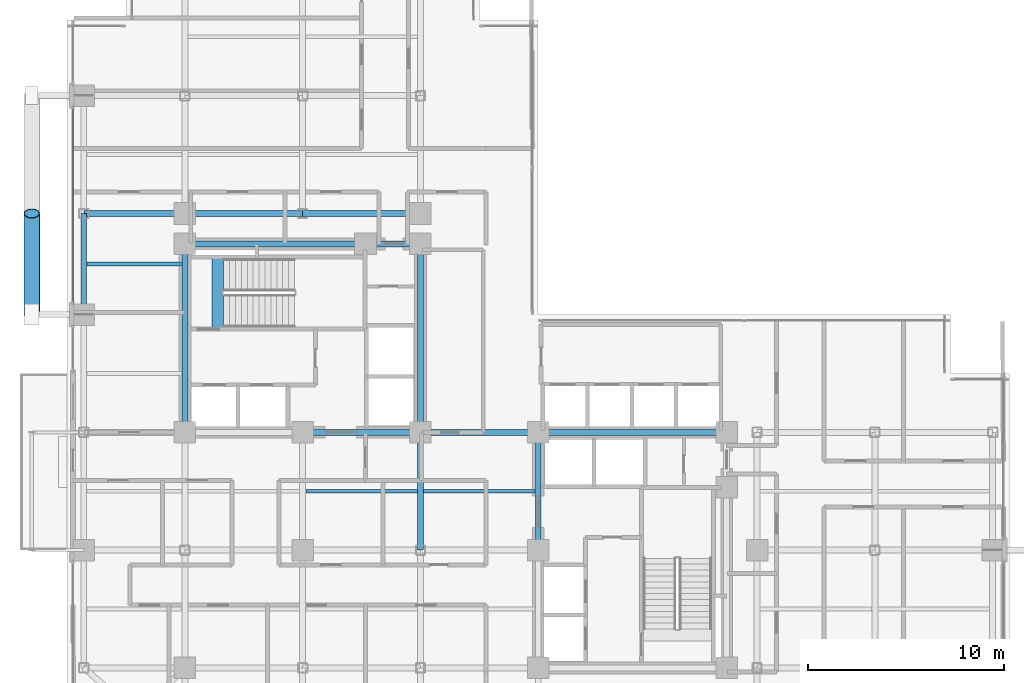
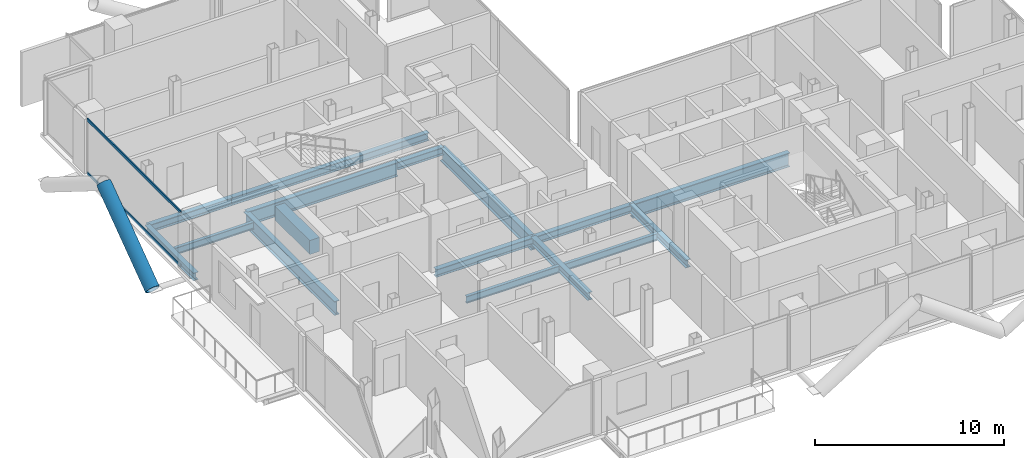
# One storey, part 7 of 24: 17 beams, 3 members, 1 element without a shape of its own.
"""IFC4 building model written with IfcOpenShell, lengths in metres."""

from ifc_helpers import new_model, si_unit, direction, frame, origin, origin_2d, place, context, subcontext, project, spatial, rectangle, hollow_rectangle, hollow_circle, i_section, extrude, material, layer, layer_set, material_profile, profile_set, type_object, element, aggregate, save


model = new_model("IFC4")

# Units and contexts
model_context = context("Model", 3, precision=1e-05, world=origin(), true_north=direction((0.0, 1.0)))
body_context = subcontext(model_context, "Body", "Model", "MODEL_VIEW")
ifc_project = project(units=[si_unit("LENGTHUNIT", "METRE"), si_unit("AREAUNIT", "SQUARE_METRE"), si_unit("VOLUMEUNIT", "CUBIC_METRE"), si_unit("PLANEANGLEUNIT", "RADIAN"), si_unit("MASSUNIT", "GRAM", prefix="KILO"), si_unit("THERMODYNAMICTEMPERATUREUNIT", "KELVIN"), si_unit("POWERUNIT", "WATT")], contexts=[model_context])

# Site, building, storey
site_placement = place(None, origin())
site = spatial("IfcSite", under=ifc_project, at=site_placement, CompositionType="ELEMENT")
building_placement = place(site_placement, origin())
building = spatial("IfcBuilding", under=site, at=building_placement, Name="Svarakhadi Broadcast Tower", CompositionType="ELEMENT")
storey_placement = place(building_placement, frame((0.0, 0.0, 115.64990234375)))
storey = spatial("IfcBuildingStorey", under=building, at=storey_placement, Name="L27", CompositionType="ELEMENT", Elevation=115.64990234375)

# Beams
ifc_material_1 = material(Name="Steel S355J2 (IS 2062 E350C)", Category="steel")
ifc_material_profile_1 = material_profile(ifc_material_1, i_section(OverallWidth=0.18994140625, OverallDepth=0.449951171875, WebThickness=0.009521484375, FlangeThickness=0.0146484375, FilletRadius=0.02099609375, at=origin_2d()), Name="NPB 450x190x78")
ifc_profile_set_1 = profile_set([ifc_material_profile_1], Name="Steel S355J2 (IS 2062 E350C)")
beam_type_1 = type_object("IfcBeamType", Name="Beam_NPB450", PredefinedType="BEAM", material=ifc_profile_set_1)
beam_1_placement = place(storey_placement, frame((1.010009765625, 26.574951171875, -0.449951171875), z_axis=(1.0, 0.0, 0.0), x_axis=(0.0, 1.0, 0.0)))
element("IfcBeam", 1, at=beam_1_placement, inside=storey, type_object=beam_type_1, Name="L27 Secondary Composite Beam SB004", PredefinedType="BEAM", context=body_context, shape_type="SweptSolid", body=[
    extrude(i_section(OverallWidth=0.18994140625, OverallDepth=0.449951171875, WebThickness=0.009521484375, FlangeThickness=0.0146484375, FilletRadius=0.02099609375, at=origin_2d()), origin(), (0.0, 0.0, 1.0), 4.830078125),
])
for number, where, z_axis, x_axis, name in (
    (2, (12.159912109375, 15.0, -0.449951171875), (1.0, 0.0, 0.0), (0.0, 1.0, 0.0), "L27 Secondary Composite Beam SB013"),
    (3, (18.159912109375, 15.0, -0.449951171875), (1.0, 0.0, 0.0), (0.0, 1.0, 0.0), "L27 Secondary Composite Beam SB018"),
):
    element("IfcBeam", number, at=place(storey_placement, frame(where, z_axis=z_axis, x_axis=x_axis)), inside=storey, type_object=beam_type_1, Name=name, PredefinedType="BEAM", context=body_context, shape_type="SweptSolid", body=[
        extrude(i_section(OverallWidth=0.18994140625, OverallDepth=0.449951171875, WebThickness=0.009521484375, FlangeThickness=0.0146484375, FilletRadius=0.02099609375, at=origin_2d()), origin(), (0.0, 0.0, 1.0), 5.68017578125),
    ])

# Curtain wall, members
ifc_material_2 = material(Name="Anodised Bronze Aluminium AA 6063-T6", Category="aluminium")
ifc_layer = layer(ifc_material_2, 0.199951171875)
ifc_layer_set = layer_set([ifc_layer], Name="Anodised Bronze Aluminium AA 6063-T6")
curtain_wall_type = type_object("IfcCurtainWallType", Name="CW_Sys_03", PredefinedType="NOTDEFINED", material=ifc_layer_set)
curtain_wall_placement = place(storey_placement, origin())
curtain_wall = element("IfcCurtainWall", 4, at=curtain_wall_placement, inside=storey, type_object=curtain_wall_type, Name="L27 West Curtain Wall 03 Bay 2", PredefinedType="NOTDEFINED")
ifc_material_profile_2 = material_profile(ifc_material_2, hollow_rectangle(XDim=0.070068359375, YDim=0.18505859375, WallThickness=0.0048828125, at=origin_2d()), Name="ALU TRANSOM 185x70x5")
ifc_profile_set_2 = profile_set([ifc_material_profile_2], Name="Anodised Bronze Aluminium AA 6063-T6")
member_type_1 = type_object("IfcMemberType", Name="CW_Sys_03_Trn", PredefinedType="USERDEFINED", material=ifc_profile_set_2)
member_1_placement = place(storey_placement, frame((0.300048828125, 24.64501953125, 0.03515625), z_axis=(0.0, 1.0, 0.0), x_axis=(-1.0, 0.0, 0.0)))
member_1 = element("IfcMember", 5, at=member_1_placement, type_object=member_type_1, Name="CW-03 transom 1.1", ObjectType="TRANSOM", PredefinedType="USERDEFINED", context=body_context, shape_type="SweptSolid", body=[
    extrude(hollow_rectangle(XDim=0.070068359375, YDim=0.18505859375, WallThickness=0.0048828125, at=origin_2d()), origin(), (0.0, 0.0, 1.0), 9.85986328125),
])
member_2_placement = place(storey_placement, frame((0.300048828125, 24.64501953125, 3.489990234375), z_axis=(0.0, 1.0, 0.0), x_axis=(-1.0, 0.0, 0.0)))
member_2 = element("IfcMember", 6, at=member_2_placement, type_object=member_type_1, Name="CW-03 transom 1.2", ObjectType="TRANSOM", PredefinedType="USERDEFINED", context=body_context, shape_type="SweptSolid", body=[
    extrude(hollow_rectangle(XDim=0.070068359375, YDim=0.18505859375, WallThickness=0.0048828125, at=origin_2d()), origin(), (0.0, 0.0, 1.0), 9.85986328125),
])
aggregate(curtain_wall, [member_1, member_2])

# Beam
ifc_material_3 = material(Name="Concrete C50/60 (IS 456 M60)", Category="concrete")
ifc_material_profile_3 = material_profile(ifc_material_3, rectangle(XDim=0.60009765625, YDim=0.89990234375, at=origin_2d()), Name="RC 600x900")
ifc_profile_set_3 = profile_set([ifc_material_profile_3], Name="Concrete C50/60 (IS 456 M60)")
beam_type_2 = type_object("IfcBeamType", Name="Coupling_RC600", PredefinedType="USERDEFINED", material=ifc_profile_set_3)
beam_2_placement = place(storey_placement, frame((7.679931640625, 23.260009765625, -0.449951171875), z_axis=(0.0, 1.0, 0.0), x_axis=(-1.0, 0.0, 0.0)))
element("IfcBeam", 7, at=beam_2_placement, inside=storey, type_object=beam_type_2, Name="L27 Stair ST-01 Landing Throat Trimmer Beam CB-01", ObjectType="GIRDER", PredefinedType="USERDEFINED", context=body_context, shape_type="SweptSolid", body=[
    extrude(rectangle(XDim=0.60009765625, YDim=0.89990234375, at=origin_2d()), origin(), (0.0, 0.0, 1.0), 3.679931640625),
])

# Member
ifc_material_4 = material(Name="Steel S460ML (IS 2062 E450BR)", Category="steel")
ifc_material_profile_4 = material_profile(ifc_material_4, hollow_circle(Radius=0.406494140625, WallThickness=0.0400390625, at=origin_2d()), Name="CHS 813x40")
ifc_profile_set_4 = profile_set([ifc_material_profile_4], Name="Steel S460ML (IS 2062 E450BR)")
member_type_2 = type_object("IfcMemberType", Name="Exo_Brace_CHS813", PredefinedType="BRACE", material=ifc_profile_set_4)
member_3_placement = place(storey_placement, frame((-1.800048828125, 24.0, -0.386962890625), z_axis=(0.0, 0.808391243061, 0.588645562407), x_axis=(-1.0, 0.0, 0.0)))
element("IfcMember", 8, at=member_3_placement, inside=storey, type_object=member_type_2, Name="L27 Exposed Bronze Exoskeleton Diagonal W04", PredefinedType="BRACE", context=body_context, shape_type="SweptSolid", body=[
    extrude(hollow_circle(Radius=0.406494140625, WallThickness=0.0400390625, at=origin_2d()), origin(), (0.0, 0.0, 1.0), 6.37060546875),
])

# Beams
ifc_material_profile_5 = material_profile(ifc_material_1, i_section(OverallWidth=0.300048828125, OverallDepth=0.5, WebThickness=0.014404296875, FlangeThickness=0.028076171875, FilletRadius=0.027099609375, at=origin_2d()), Name="WPB 500x300x187")
ifc_profile_set_5 = profile_set([ifc_material_profile_5], Name="Steel S355J2 (IS 2062 E350C)")
beam_type_3 = type_object("IfcBeamType", Name="Girder_WPB500", PredefinedType="USERDEFINED", material=ifc_profile_set_5)
for number, where, z_axis, x_axis, name in (
    (9, (12.0, 18.0, -0.474853515625), (1.0, 0.0, 0.0), (0.0, 1.0, 0.0), "L27 Primary E-W Girder G025"),
    (10, (18.0, 18.0, -0.474853515625), (1.0, 0.0, 0.0), (0.0, 1.0, 0.0), "L27 Primary E-W Girder G026"),
):
    element("IfcBeam", number, at=place(storey_placement, frame(where, z_axis=z_axis, x_axis=x_axis)), inside=storey, type_object=beam_type_3, Name=name, ObjectType="GIRDER", PredefinedType="USERDEFINED", context=body_context, shape_type="SweptSolid", body=[
        extrude(i_section(OverallWidth=0.300048828125, OverallDepth=0.5, WebThickness=0.014404296875, FlangeThickness=0.028076171875, FilletRadius=0.027099609375, at=origin_2d()), origin(), (0.0, 0.0, 1.0), 6.0),
    ])
beam_3_placement = place(storey_placement, frame((15.199951171875, 27.60009765625, -0.474853515625), z_axis=(1.0, 0.0, 0.0), x_axis=(0.0, 1.0, 0.0)))
element("IfcBeam", 11, at=beam_3_placement, inside=storey, type_object=beam_type_3, Name="L27 Primary E-W Girder G031", ObjectType="GIRDER", PredefinedType="USERDEFINED", context=body_context, shape_type="SweptSolid", body=[
    extrude(i_section(OverallWidth=0.300048828125, OverallDepth=0.5, WebThickness=0.014404296875, FlangeThickness=0.028076171875, FilletRadius=0.027099609375, at=origin_2d()), origin(), (0.0, 0.0, 1.0), 2.800048828125),
])
beam_4_placement = place(storey_placement, frame((0.85009765625, 29.14990234375, -0.474853515625), z_axis=(1.0, 0.0, 0.0), x_axis=(0.0, 1.0, 0.0)))
element("IfcBeam", 12, at=beam_4_placement, inside=storey, type_object=beam_type_3, Name="L27 Primary E-W Girder G032", ObjectType="GIRDER", PredefinedType="USERDEFINED", context=body_context, shape_type="SweptSolid", body=[
    extrude(i_section(OverallWidth=0.300048828125, OverallDepth=0.5, WebThickness=0.014404296875, FlangeThickness=0.028076171875, FilletRadius=0.027099609375, at=origin_2d()), origin(), (0.0, 0.0, 1.0), 5.14990234375),
])
for number, where, z_axis, x_axis, name in (
    (13, (6.0, 29.14990234375, -0.474853515625), (1.0, 0.0, 0.0), (0.0, 1.0, 0.0), "L27 Primary E-W Girder G033"),
    (14, (12.0, 29.14990234375, -0.474853515625), (1.0, 0.0, 0.0), (0.0, 1.0, 0.0), "L27 Primary E-W Girder G034"),
):
    element("IfcBeam", number, at=place(storey_placement, frame(where, z_axis=z_axis, x_axis=x_axis)), inside=storey, type_object=beam_type_3, Name=name, ObjectType="GIRDER", PredefinedType="USERDEFINED", context=body_context, shape_type="SweptSolid", body=[
        extrude(i_section(OverallWidth=0.300048828125, OverallDepth=0.5, WebThickness=0.014404296875, FlangeThickness=0.028076171875, FilletRadius=0.027099609375, at=origin_2d()), origin(), (0.0, 0.0, 1.0), 6.0),
    ])
beam_5_placement = place(storey_placement, frame((0.85009765625, 24.0, -0.474853515625), z_axis=(0.0, 1.0, 0.0), x_axis=(-1.0, 0.0, 0.0)))
element("IfcBeam", 15, at=beam_5_placement, inside=storey, type_object=beam_type_3, Name="L27 Primary N-S Girder G043", ObjectType="GIRDER", PredefinedType="USERDEFINED", context=body_context, shape_type="SweptSolid", body=[
    extrude(i_section(OverallWidth=0.300048828125, OverallDepth=0.5, WebThickness=0.014404296875, FlangeThickness=0.028076171875, FilletRadius=0.027099609375, at=origin_2d()), origin(), (0.0, 0.0, 1.0), 5.14990234375),
])
for number, where, z_axis, x_axis, name in (
    (16, (18.0, 12.0, -0.474853515625), (0.0, 1.0, 0.0), (-1.0, 0.0, 0.0), "L27 Primary N-S Girder G058"),
    (17, (24.0, 12.0, -0.474853515625), (0.0, 1.0, 0.0), (-1.0, 0.0, 0.0), "L27 Primary N-S Girder G064"),
):
    element("IfcBeam", number, at=place(storey_placement, frame(where, z_axis=z_axis, x_axis=x_axis)), inside=storey, type_object=beam_type_3, Name=name, ObjectType="GIRDER", PredefinedType="USERDEFINED", context=body_context, shape_type="SweptSolid", body=[
        extrude(i_section(OverallWidth=0.300048828125, OverallDepth=0.5, WebThickness=0.014404296875, FlangeThickness=0.028076171875, FilletRadius=0.027099609375, at=origin_2d()), origin(), (0.0, 0.0, 1.0), 6.0),
    ])
ifc_material_profile_6 = material_profile(ifc_material_4, i_section(OverallWidth=0.300048828125, OverallDepth=0.89990234375, WebThickness=0.0185546875, FlangeThickness=0.034912109375, FilletRadius=0.030029296875, at=origin_2d()), Name="WPB 900x300x291")
ifc_profile_set_6 = profile_set([ifc_material_profile_6], Name="Steel S460ML (IS 2062 E450BR)")
beam_type_4 = type_object("IfcBeamType", Name="Girder_WPB900", PredefinedType="USERDEFINED", material=ifc_profile_set_6)
beam_6_placement = place(storey_placement, frame((24.0, 18.0, -0.6748046875), z_axis=(1.0, 0.0, 0.0), x_axis=(0.0, 1.0, 0.0)))
element("IfcBeam", 18, at=beam_6_placement, inside=storey, type_object=beam_type_4, Name="L27 Primary E-W Girder G027", ObjectType="GIRDER", PredefinedType="USERDEFINED", context=body_context, shape_type="SweptSolid", body=[
    extrude(i_section(OverallWidth=0.300048828125, OverallDepth=0.89990234375, WebThickness=0.0185546875, FlangeThickness=0.034912109375, FilletRadius=0.030029296875, at=origin_2d()), origin(), (0.0, 0.0, 1.0), 9.60009765625),
])
beam_7_placement = place(storey_placement, frame((6.0, 27.60009765625, -0.6748046875), z_axis=(1.0, 0.0, 0.0), x_axis=(0.0, 1.0, 0.0)))
element("IfcBeam", 19, at=beam_7_placement, inside=storey, type_object=beam_type_4, Name="L27 Primary E-W Girder G030", ObjectType="GIRDER", PredefinedType="USERDEFINED", context=body_context, shape_type="SweptSolid", body=[
    extrude(i_section(OverallWidth=0.300048828125, OverallDepth=0.89990234375, WebThickness=0.0185546875, FlangeThickness=0.034912109375, FilletRadius=0.030029296875, at=origin_2d()), origin(), (0.0, 0.0, 1.0), 9.199951171875),
])
for number, where, z_axis, x_axis, name in (
    (20, (6.0, 18.0, -0.6748046875), (0.0, 1.0, 0.0), (-1.0, 0.0, 0.0), "L27 Primary N-S Girder G048"),
    (21, (18.0, 18.0, -0.6748046875), (0.0, 1.0, 0.0), (-1.0, 0.0, 0.0), "L27 Primary N-S Girder G059"),
):
    element("IfcBeam", number, at=place(storey_placement, frame(where, z_axis=z_axis, x_axis=x_axis)), inside=storey, type_object=beam_type_4, Name=name, ObjectType="GIRDER", PredefinedType="USERDEFINED", context=body_context, shape_type="SweptSolid", body=[
        extrude(i_section(OverallWidth=0.300048828125, OverallDepth=0.89990234375, WebThickness=0.0185546875, FlangeThickness=0.034912109375, FilletRadius=0.030029296875, at=origin_2d()), origin(), (0.0, 0.0, 1.0), 9.60009765625),
    ])

save(model, "model.ifc")
